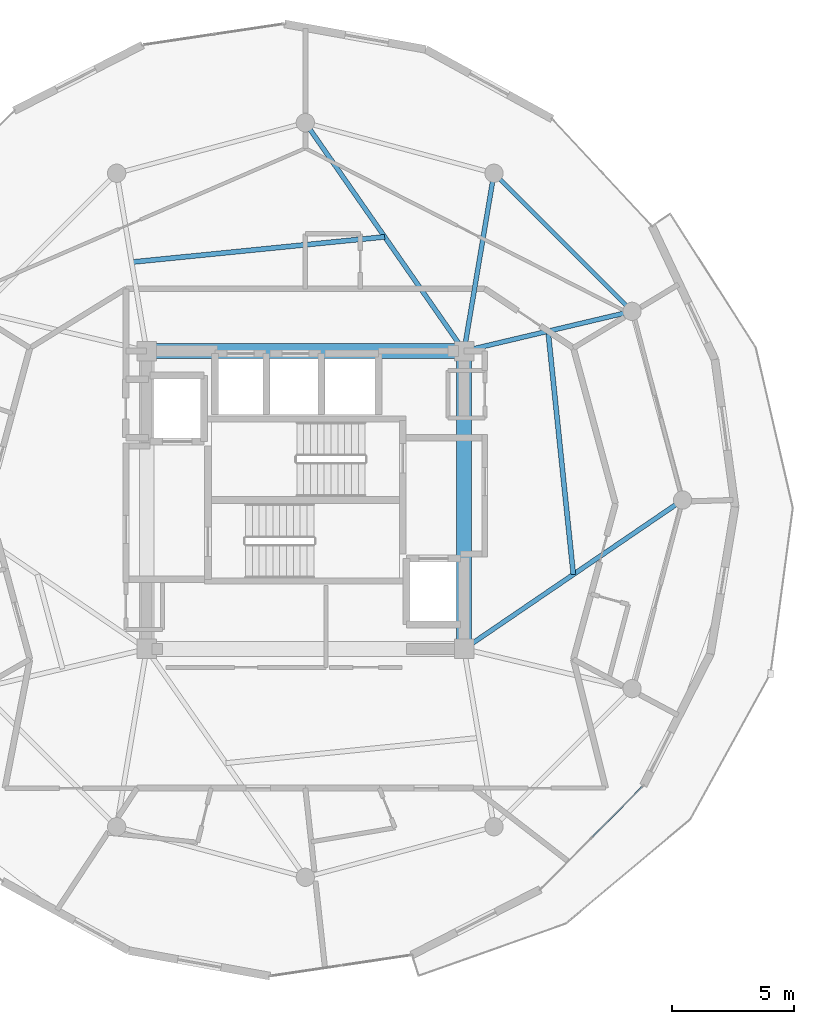
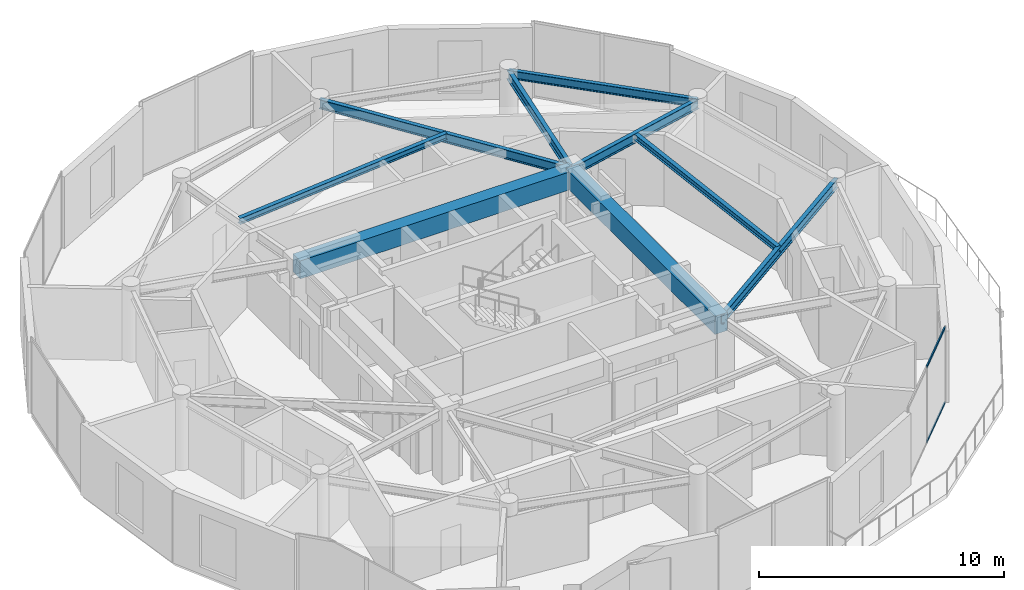
# One storey, part 10 of 23: 9 beams, 2 members, 1 element without a shape of its own.
"""IFC4 building model written with IfcOpenShell, lengths in metres."""

from ifc_helpers import new_model, si_unit, direction, frame, origin, origin_2d, place, context, subcontext, project, spatial, rectangle, hollow_rectangle, i_section, extrude, source, transform, mapped, material, layer, layer_set, material_profile, profile_set, type_object, element, aggregate, save


model = new_model("IFC4")

# Units and contexts
model_context = context("Model", 3, precision=1e-05, world=origin(), true_north=direction((0.0, 1.0)))
body_context = subcontext(model_context, "Body", "Model", "MODEL_VIEW")
ifc_project = project(units=[si_unit("LENGTHUNIT", "METRE"), si_unit("AREAUNIT", "SQUARE_METRE"), si_unit("VOLUMEUNIT", "CUBIC_METRE"), si_unit("PLANEANGLEUNIT", "RADIAN"), si_unit("MASSUNIT", "GRAM", prefix="KILO")], contexts=[model_context])

# Site, building, storey
site_placement = place(None, origin())
site = spatial("IfcSite", under=ifc_project, at=site_placement, CompositionType="ELEMENT")
building_placement = place(site_placement, origin())
building = spatial("IfcBuilding", under=site, at=building_placement, Name="Solvirekh Grand Hotel", CompositionType="ELEMENT")
storey_placement = place(building_placement, frame((0.0, 0.0, 282.0)))
storey = spatial("IfcBuildingStorey", under=building, at=storey_placement, Name="L73", CompositionType="ELEMENT", Elevation=282.0)

# Beams
ifc_material_1 = material(Name="Concrete C50/60", Category="concrete")
ifc_material_profile_1 = material_profile(ifc_material_1, rectangle(XDim=0.60009765625, YDim=0.89990234375, at=origin_2d()), Name="RC BEAM 600X900")
ifc_profile_set_1 = profile_set([ifc_material_profile_1], Name="Concrete C50/60")
beam_type_1 = type_object("IfcBeamType", Name="Beam_Core_RC900", PredefinedType="BEAM", material=ifc_profile_set_1)
beam_1_placement = place(storey_placement, frame((6.5, -6.10009765625, 3.1201171875), z_axis=(0.0, 1.0, 0.0), x_axis=(-1.0, 0.0, 0.0)))
element("IfcBeam", 1, at=beam_1_placement, inside=storey, type_object=beam_type_1, Name="L73 core coupling ring beam 2", PredefinedType="BEAM", context=body_context, shape_type="SweptSolid", body=[
    extrude(rectangle(XDim=0.60009765625, YDim=0.89990234375, at=origin_2d()), origin(), (0.0, 0.0, 1.0), 12.2001953125),
])
beam_2_placement = place(storey_placement, frame((6.5, 6.10009765625, 3.1201171875), z_axis=(-1.0, 0.0, 0.0), x_axis=(0.0, -1.0, 0.0)))
element("IfcBeam", 2, at=beam_2_placement, inside=storey, type_object=beam_type_1, Name="L73 core coupling ring beam 3", PredefinedType="BEAM", context=body_context, shape_type="SweptSolid", body=[
    extrude(rectangle(XDim=0.60009765625, YDim=0.89990234375, at=origin_2d()), origin(), (0.0, 0.0, 1.0), 13.0),
])
ifc_material_2 = material(Name="Steel S355", Category="steel")
ifc_material_profile_2 = material_profile(ifc_material_2, i_section(OverallWidth=0.194091796875, OverallDepth=0.468994140625, WebThickness=0.010986328125, FlangeThickness=0.01904296875, FilletRadius=0.012939453125, at=origin_2d()), Name="W460X106")
ifc_profile_set_2 = profile_set([ifc_material_profile_2], Name="Steel S355")
beam_type_2 = type_object("IfcBeamType", Name="Beam_Radial_W460H", PredefinedType="BEAM", material=ifc_profile_set_2)
beam_3_placement = place(storey_placement, frame((6.5, -6.10009765625, 3.3349609375), z_axis=(0.826319370306, 0.563201827285, 0.0), x_axis=(-0.563201827285, 0.826319370306, 0.0)))
element("IfcBeam", 3, at=beam_3_placement, inside=storey, type_object=beam_type_2, Name="L73 radial floor beam R01", PredefinedType="BEAM", context=body_context, shape_type="SweptSolid", body=[
    extrude(i_section(OverallWidth=0.194091796875, OverallDepth=0.468994140625, WebThickness=0.010986328125, FlangeThickness=0.01904296875, FilletRadius=0.012939453125, at=origin_2d()), origin(), (0.0, 0.0, 1.0), 10.8310546875),
])
beam_4_placement = place(storey_placement, frame((6.5, 6.10009765625, 3.3349609375), z_axis=(0.973221147544, 0.229870828888, 0.0), x_axis=(-0.229870828888, 0.973221147544, 0.0)))
element("IfcBeam", 4, at=beam_4_placement, inside=storey, type_object=beam_type_2, Name="L73 radial floor beam R02", PredefinedType="BEAM", context=body_context, shape_type="SweptSolid", body=[
    extrude(i_section(OverallWidth=0.194091796875, OverallDepth=0.468994140625, WebThickness=0.010986328125, FlangeThickness=0.01904296875, FilletRadius=0.012939453125, at=origin_2d()), origin(), (0.0, 0.0, 1.0), 7.069091796875),
])
beam_5_placement = place(storey_placement, frame((6.5, 6.10009765625, 3.3349609375), z_axis=(0.165954049106, 0.986133486697, 0.0), x_axis=(-0.986133486697, 0.165954049106, 0.0)))
element("IfcBeam", 5, at=beam_5_placement, inside=storey, type_object=beam_type_2, Name="L73 radial floor beam R03", PredefinedType="BEAM", context=body_context, shape_type="SweptSolid", body=[
    extrude(i_section(OverallWidth=0.194091796875, OverallDepth=0.468994140625, WebThickness=0.010986328125, FlangeThickness=0.01904296875, FilletRadius=0.012939453125, at=origin_2d()), origin(), (0.0, 0.0, 1.0), 7.382080078125),
])
beam_6_placement = place(storey_placement, frame((6.5, 6.10009765625, 3.3349609375), z_axis=(-0.570813192472, 0.821079959139, 0.0), x_axis=(-0.821079959139, -0.570813192472, 0.0)))
element("IfcBeam", 6, at=beam_6_placement, inside=storey, type_object=beam_type_2, Name="L73 radial floor beam R04", PredefinedType="BEAM", context=body_context, shape_type="SweptSolid", body=[
    extrude(i_section(OverallWidth=0.194091796875, OverallDepth=0.468994140625, WebThickness=0.010986328125, FlangeThickness=0.01904296875, FilletRadius=0.012939453125, at=origin_2d()), origin(), (0.0, 0.0, 1.0), 11.38720703125),
])
ifc_material_profile_3 = material_profile(ifc_material_2, i_section(OverallWidth=0.202880859375, OverallDepth=0.302978515625, WebThickness=0.008056640625, FlangeThickness=0.012939453125, FilletRadius=0.010009765625, at=origin_2d()), Name="W310X60")
ifc_profile_set_3 = profile_set([ifc_material_profile_3], Name="Steel S355")
beam_type_3 = type_object("IfcBeamType", Name="Joist_Floor_W310", PredefinedType="JOIST", material=ifc_profile_set_3)
beam_7_placement = place(storey_placement, frame((10.97509765625, -3.050048828125, 3.41796875), z_axis=(-0.103352382469, 0.994644803454, 0.0), x_axis=(-0.994644803454, -0.103352382469, 0.0)))
element("IfcBeam", 7, at=beam_7_placement, inside=storey, type_object=beam_type_3, Name="L73 secondary composite floor joist 1", PredefinedType="JOIST", context=body_context, shape_type="SweptSolid", body=[
    extrude(i_section(OverallWidth=0.202880859375, OverallDepth=0.302978515625, WebThickness=0.008056640625, FlangeThickness=0.012939453125, FilletRadius=0.010009765625, at=origin_2d()), origin(), (0.0, 0.0, 1.0), 10.015869140625),
])
beam_8_placement = place(storey_placement, frame((3.25, 10.77490234375, 3.41796875), z_axis=(-0.995049485097, -0.099380693338, 0.0), x_axis=(0.099380693338, -0.995049485097, 0.0)))
element("IfcBeam", 8, at=beam_8_placement, inside=storey, type_object=beam_type_3, Name="L73 secondary composite floor joist 4", PredefinedType="JOIST", context=body_context, shape_type="SweptSolid", body=[
    extrude(i_section(OverallWidth=0.202880859375, OverallDepth=0.302978515625, WebThickness=0.008056640625, FlangeThickness=0.012939453125, FilletRadius=0.010009765625, at=origin_2d()), origin(), (0.0, 0.0, 1.0), 10.41357421875),
])
ifc_material_profile_4 = material_profile(ifc_material_2, i_section(OverallWidth=0.180908203125, OverallDepth=0.4169921875, WebThickness=0.010009765625, FlangeThickness=0.01611328125, FilletRadius=0.011962890625, at=origin_2d()), Name="W410X85")
ifc_profile_set_4 = profile_set([ifc_material_profile_4], Name="Steel S355")
beam_type_4 = type_object("IfcBeamType", Name="Spandrel_Ring_W410", PredefinedType="SPANDREL", material=ifc_profile_set_4)
beam_9_placement = place(storey_placement, frame((13.3798828125, 7.72509765625, 3.361083984375), z_axis=(-0.707106781187, 0.707106781187, 0.0), x_axis=(-0.707106781187, -0.707106781187, 0.0)))
element("IfcBeam", 9, at=beam_9_placement, inside=storey, type_object=beam_type_4, Name="L73 perimeter spandrel beam 2", PredefinedType="SPANDREL", context=body_context, shape_type="SweptSolid", body=[
    extrude(i_section(OverallWidth=0.180908203125, OverallDepth=0.4169921875, WebThickness=0.010009765625, FlangeThickness=0.01611328125, FilletRadius=0.011962890625, at=origin_2d()), origin(), (0.0, 0.0, 1.0), 7.9970703125),
])

# Curtain wall, members
ifc_material_3 = material(Name="Anodized Bronze Aluminium 6063-T6", Category="aluminium")
ifc_layer = layer(ifc_material_3, 0.159912109375)
ifc_layer_set = layer_set([ifc_layer], Name="Anodized Bronze Aluminium 6063-T6")
curtain_wall_type = type_object("IfcCurtainWallType", Name="CW_Sys4_HighZoneFlushBronzeCW", PredefinedType="NOTDEFINED", material=ifc_layer_set)
curtain_wall_placement = place(storey_placement, origin())
curtain_wall = element("IfcCurtainWall", 10, at=curtain_wall_placement, inside=storey, type_object=curtain_wall_type, Name="L73 unitised bronze-glass curtain wall CW-L73-C03", PredefinedType="NOTDEFINED")
ifc_material_profile_5 = material_profile(ifc_material_3, hollow_rectangle(XDim=0.054931640625, YDim=0.1201171875, WallThickness=0.00390625, at=origin_2d()), Name="ALU RHS 120X55X4")
ifc_profile_set_5 = profile_set([ifc_material_profile_5], Name="Anodized Bronze Aluminium 6063-T6")
member_type = type_object("IfcMemberType", Name="CWTransom_Sys4", PredefinedType="USERDEFINED", material=ifc_profile_set_5)
shared_shape = source(origin(), body_context, "Body", "SweptSolid", [
    extrude(hollow_rectangle(XDim=0.054931640625, YDim=0.1201171875, WallThickness=0.00390625, at=origin_2d()), origin(), (0.0, 0.0, 1.0), 2.902587890625),
])
member_1_placement = place(storey_placement, frame((11.755126953125, -13.796630859375, 0.027587890625), z_axis=(0.704114445646, 0.710086507006, 0.0), x_axis=(-0.710086507006, 0.704114445646, 0.0)))
member_1 = element("IfcMember", 11, at=member_1_placement, type_object=member_type, Name="U04 transom 2.1", ObjectType="TRANSOM", PredefinedType="USERDEFINED", context=body_context, shape_type="MappedRepresentation", body=[
    mapped(shared_shape, transform((0.0, 0.0, 0.0), x_axis=(1.0, 0.0, 0.0), y_axis=(0.0, 1.0, 0.0), z_axis=(0.0, 0.0, 1.0), scale=1.0)),
])
member_2_placement = place(storey_placement, frame((11.755126953125, -13.796630859375, 3.7724609375), z_axis=(0.704114445646, 0.710086507006, 0.0), x_axis=(-0.710086507006, 0.704114445646, 0.0)))
member_2 = element("IfcMember", 12, at=member_2_placement, type_object=member_type, Name="U04 transom 2.2", ObjectType="TRANSOM", PredefinedType="USERDEFINED", context=body_context, shape_type="MappedRepresentation", body=[
    mapped(shared_shape, transform((0.0, 0.0, 0.0), x_axis=(1.0, 0.0, 0.0), y_axis=(0.0, 1.0, 0.0), z_axis=(0.0, 0.0, 1.0), scale=1.0)),
])
aggregate(curtain_wall, [member_1, member_2])

save(model, "model.ifc")
